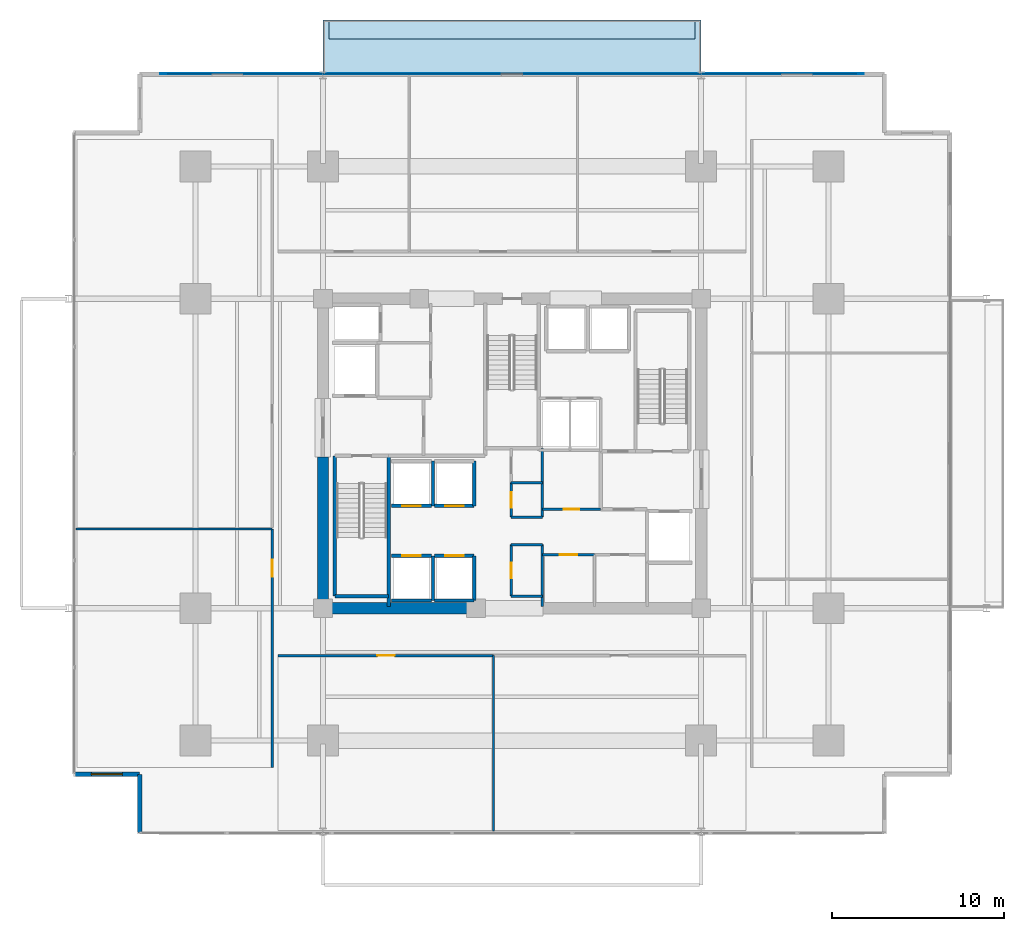
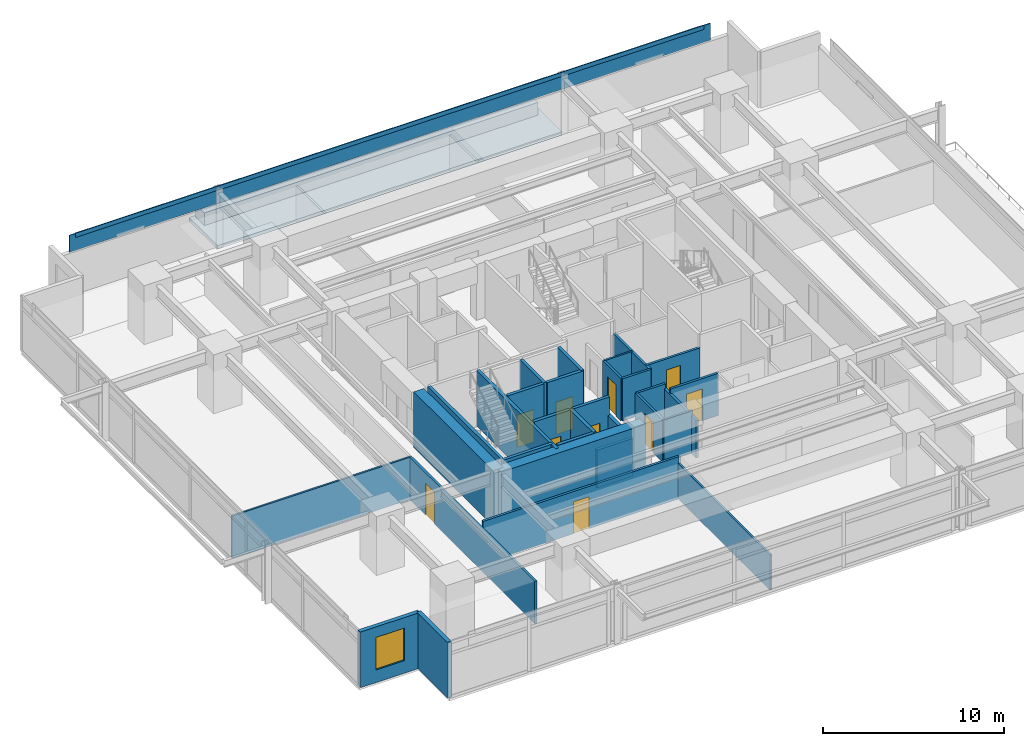
# One storey, part 14 of 21: 31 walls, 10 doors, 2 plates, 2 slabs, 1 window, 11 openings.
"""IFC4 building model written with IfcOpenShell, lengths in metres."""

from ifc_helpers import new_model, si_unit, direction, frame, frame_2d, origin, origin_2d, place, context, subcontext, project, spatial, polyline, rectangle, outline, extrude, material, layer, layer_set, type_object, element, fill, save


model = new_model("IFC4")

# Units and contexts
model_context = context("Model", 3, precision=1e-05, world=origin(), true_north=direction((0.0, 1.0)))
body_context = subcontext(model_context, "Body", "Model", "MODEL_VIEW")
ifc_project = project(units=[si_unit("LENGTHUNIT", "METRE"), si_unit("AREAUNIT", "SQUARE_METRE"), si_unit("VOLUMEUNIT", "CUBIC_METRE"), si_unit("PLANEANGLEUNIT", "RADIAN"), si_unit("MASSUNIT", "GRAM", prefix="KILO")], contexts=[model_context])

# Site, building, storey
site_placement = place(None, origin())
site = spatial("IfcSite", under=ifc_project, at=site_placement, CompositionType="ELEMENT")
building_placement = place(site_placement, origin())
building = spatial("IfcBuilding", under=site, at=building_placement, Name="Kovane Verandah Tower", CompositionType="ELEMENT")
storey_placement = place(building_placement, frame((0.0, 0.0, 47.60009765625)))
storey = spatial("IfcBuildingStorey", under=building, at=storey_placement, Name="L10", CompositionType="ELEMENT", Elevation=47.60009765625)

# Plates
ifc_material_1 = material(Name="Perforated Pale Champagne Anodised Aluminium Solar Screen", Category="aluminium")
ifc_layer_1 = layer(ifc_material_1, 0.050048828125)
ifc_layer_set_1 = layer_set([ifc_layer_1], Name="Perforated Pale Champagne Anodised Aluminium Solar Screen")
plate_type_1 = type_object("IfcPlateType", Name="PL-SCREEN-50", PredefinedType="USERDEFINED", material=ifc_layer_set_1)
plate_1_placement = place(storey_placement, frame((40.0, 49.576416015625, 2.85986328125), z_axis=(0.0, 0.0, 1.0), x_axis=(-1.0, 0.0, 0.0)))
element("IfcPlate", 1, at=plate_1_placement, inside=storey, type_object=plate_type_1, Name="L10 N Perforated Champagne-Gold Solar Screen", ObjectType="SCREEN", PredefinedType="USERDEFINED", context=body_context, shape_type="SweptSolid", body=[
    extrude(rectangle(XDim=40.91796875, YDim=0.050048828125, at=origin_2d()), origin(), (0.0, 0.0, 1.0), 1.14990234375),
])
ifc_material_2 = material(Name="Extruded Pale-Bronze Aluminium Aerofoil Sunshade", Category="aluminium")
ifc_layer_2 = layer(ifc_material_2, 0.06005859375)
ifc_layer_set_2 = layer_set([ifc_layer_2], Name="Extruded Pale-Bronze Aluminium Aerofoil Sunshade")
plate_type_2 = type_object("IfcPlateType", Name="PL-SUNSHADE-60", PredefinedType="USERDEFINED", material=ifc_layer_set_2)
plate_2_placement = place(storey_placement, frame((40.0, 49.581298828125, 3.73974609375), z_axis=(0.0, 0.0, 1.0), x_axis=(-1.0, 0.0, 0.0)))
element("IfcPlate", 2, at=plate_2_placement, inside=storey, type_object=plate_type_2, Name="L10 N Subtropical Aerofoil Sunshade", ObjectType="SUNSHADE", PredefinedType="USERDEFINED", context=body_context, shape_type="SweptSolid", body=[
    extrude(rectangle(XDim=40.117919921875, YDim=0.06005859375, at=origin_2d()), origin(), (0.0, 0.0, 1.0), 0.280029296875),
])

# Slabs
ifc_material_3 = material(Name="Concrete C45/55", Category="concrete")
ifc_layer_3 = layer(ifc_material_3, 0.239990234375)
ifc_layer_set_3 = layer_set([ifc_layer_3], Name="Concrete C45/55")
slab_type_1 = type_object("IfcSlabType", Name="SL-BALC-240", PredefinedType="FLOOR", material=ifc_layer_set_3)
slab_1_placement = place(storey_placement, frame((0.0, 0.0, -0.239990234375)))
element("IfcSlab", 3, at=slab_1_placement, inside=storey, type_object=slab_type_1, Name="L10 N Planted Verandah Balcony Slab", PredefinedType="FLOOR", context=body_context, shape_type="SweptSolid", body=[
    extrude(outline(polyline([(29.0, 49.561279296875), (51.0, 49.561279296875), (51.0, 52.711181640625), (29.0, 52.711181640625), (29.0, 49.561279296875)])), origin(), (0.0, 0.0, 1.0), 0.239990234375),
])
ifc_material_4 = material(Name="Architectural Precast Concrete C45/55 Planter Trough", Category="concrete")
ifc_layer_4 = layer(ifc_material_4, 0.219970703125)
ifc_layer_set_4 = layer_set([ifc_layer_4], Name="Architectural Precast Concrete C45/55 Planter Trough")
slab_type_2 = type_object("IfcSlabType", Name="SL-PLANTER-220", PredefinedType="USERDEFINED", material=ifc_layer_set_4)
slab_2_placement = place(storey_placement, origin())
element("IfcSlab", 4, at=slab_2_placement, inside=storey, type_object=slab_type_2, Name="L10 N Structural Tree Planter", ObjectType="PLANTER", PredefinedType="USERDEFINED", context=body_context, shape_type="SweptSolid", body=[
    extrude(outline(polyline([(29.35009765625, 51.611328125), (50.64990234375, 51.611328125), (50.64990234375, 52.611328125), (29.35009765625, 52.611328125), (29.35009765625, 51.611328125)])), origin(), (0.0, 0.0, 1.0), 0.849853515625),
])

# Walls
ifc_material_5 = material(Name="Fire-Rated Gypsum Stud Partition", Category="gypsum")
ifc_layer_5 = layer(ifc_material_5, 0.14990234375)
ifc_layer_set_5 = layer_set([ifc_layer_5], Name="Fire-Rated Gypsum Stud Partition")
wall_type_1 = type_object("IfcWallType", Name="WL-COR-150", PredefinedType="PARTITIONING", material=ifc_layer_set_5)
for number, where, z_axis, x_axis, name in (
    (5, (39.949951171875, 19.199951171875, 0.0), (0.0, 0.0, 1.0), (1.0, 0.0, 0.0), "L10 Central Core Strip South Wall"),
    (6, (39.949951171875, 22.199951171875, 0.0), (0.0, 0.0, 1.0), (1.0, 0.0, 0.0), "L10 Core Cross-Passage South Wall"),
    (7, (39.949951171875, 23.800048828125, 0.0), (0.0, 0.0, 1.0), (1.0, 0.0, 0.0), "L10 Core Cross-Passage North Wall"),
):
    element("IfcWall", number, at=place(storey_placement, frame(where, z_axis=z_axis, x_axis=x_axis)), inside=storey, type_object=wall_type_1, Name=name, PredefinedType="PARTITIONING", context=body_context, shape_type="SweptSolid", body=[
        extrude(rectangle(XDim=1.81005859375, YDim=0.14990234375, at=frame_2d((0.905029296875, 0.0))), origin(), (0.0, 0.0, 1.0), 2.849853515625),
    ])
wall_1_placement = place(storey_placement, frame((41.760009765625, 18.60009765625, 0.0), z_axis=(0.0, 0.0, 1.0), x_axis=(0.0, 1.0, 0.0)))
element("IfcWall", 8, at=wall_1_placement, inside=storey, type_object=wall_type_1, Name="L10 Central Core Strip Lower East Wall", PredefinedType="PARTITIONING", context=body_context, shape_type="SweptSolid", body=[
    extrude(rectangle(XDim=3.599853515625, YDim=0.14990234375, at=frame_2d((1.7998046875, 0.0))), origin(), (0.0, 0.0, 1.0), 2.539794921875),
])
wall_2_placement = place(storey_placement, frame((41.760009765625, 23.800048828125, 0.0), z_axis=(0.0, 0.0, 1.0), x_axis=(0.0, 1.0, 0.0)))
element("IfcWall", 9, at=wall_2_placement, inside=storey, type_object=wall_type_1, Name="L10 Central Core Strip Upper East Wall", PredefinedType="PARTITIONING", context=body_context, shape_type="SweptSolid", body=[
    extrude(rectangle(XDim=4.0, YDim=0.14990234375, at=frame_2d((2.0, 0.0))), origin(), (0.0, 0.0, 1.0), 2.849853515625),
])

# Wall, opening, door
wall_3_placement = place(storey_placement, frame((39.949951171875, 19.199951171875, 0.0), z_axis=(0.0, 0.0, 1.0), x_axis=(0.0, 1.0, 0.0)))
wall_3 = element("IfcWall", 10, at=wall_3_placement, inside=storey, type_object=wall_type_1, Name="L10 Male Toilet Partition", PredefinedType="PARTITIONING", context=body_context, shape_type="SweptSolid", body=[
    extrude(rectangle(XDim=3.0, YDim=0.14990234375, at=frame_2d((1.5, 0.0))), origin(), (0.0, 0.0, 1.0), 2.849853515625),
])
opening_1_placement = place(wall_3_placement, frame((1.050048828125, 0.0, 0.0)))
opening_1 = element("IfcOpeningElement", 11, at=opening_1_placement, cuts=wall_3, Name="Opening DR-L10-028", PredefinedType="OPENING", context=body_context, shape_type="SweptSolid", body=[
    extrude(rectangle(XDim=0.89990234375, YDim=2.10009765625, at=frame_2d((0.449951171875, 1.050048828125))), frame((0.0, 0.074951171875, 0.0), z_axis=(0.0, -1.0, 0.0), x_axis=(1.0, 0.0, 0.0)), (0.0, 0.0, 1.0), 0.14990234375),
])
ifc_material_6 = material(Name="Moisture-Resistant Laminate Washroom Door", Category="wood")
door_type_1 = type_object("IfcDoorType", Name="DR-WC-900", OperationType="SINGLE_SWING_LEFT", PredefinedType="DOOR", material=ifc_material_6)
door_1_placement = place(opening_1_placement, origin())
door_1 = element("IfcDoor", 12, at=door_1_placement, inside=storey, type_object=door_type_1, Name="L10 Male Toilet Door", OperationType="SINGLE_SWING_RIGHT", OverallHeight=2.10009765625, OverallWidth=0.89990234375, PredefinedType="DOOR", context=body_context, shape_type="SweptSolid", body=[
    extrude(rectangle(XDim=0.89990234375, YDim=2.10009765625, at=frame_2d((0.449951171875, 1.050048828125))), frame((0.0, 0.02490234375, 0.0), z_axis=(0.0, -1.0, 0.0), x_axis=(1.0, 0.0, 0.0)), (0.0, 0.0, 1.0), 0.050048828125),
])
fill(opening_1, door_1)

wall_4_placement = place(storey_placement, frame((39.949951171875, 23.800048828125, 0.0), z_axis=(0.0, 0.0, 1.0), x_axis=(0.0, 1.0, 0.0)))
wall_4 = element("IfcWall", 13, at=wall_4_placement, inside=storey, type_object=wall_type_1, Name="L10 Female Toilet Partition", PredefinedType="PARTITIONING", context=body_context, shape_type="SweptSolid", body=[
    extrude(rectangle(XDim=2.0, YDim=0.14990234375, at=frame_2d((1.0, 0.0))), origin(), (0.0, 0.0, 1.0), 2.849853515625),
])
opening_2_placement = place(wall_4_placement, frame((0.550048828125, 0.0, 0.0)))
opening_2 = element("IfcOpeningElement", 14, at=opening_2_placement, cuts=wall_4, Name="Opening DR-L10-027", PredefinedType="OPENING", context=body_context, shape_type="SweptSolid", body=[
    extrude(rectangle(XDim=0.89990234375, YDim=2.10009765625, at=frame_2d((0.449951171875, 1.050048828125))), frame((0.0, 0.074951171875, 0.0), z_axis=(0.0, -1.0, 0.0), x_axis=(1.0, 0.0, 0.0)), (0.0, 0.0, 1.0), 0.14990234375),
])
door_2_placement = place(opening_2_placement, origin())
door_2 = element("IfcDoor", 15, at=door_2_placement, inside=storey, type_object=door_type_1, Name="L10 Female Toilet Door", OperationType="SINGLE_SWING_LEFT", OverallHeight=2.10009765625, OverallWidth=0.89990234375, PredefinedType="DOOR", context=body_context, shape_type="SweptSolid", body=[
    extrude(rectangle(XDim=0.89990234375, YDim=2.10009765625, at=frame_2d((0.449951171875, 1.050048828125))), frame((0.0, 0.02490234375, 0.0), z_axis=(0.0, -1.0, 0.0), x_axis=(1.0, 0.0, 0.0)), (0.0, 0.0, 1.0), 0.050048828125),
])
fill(opening_2, door_2)

wall_5_placement = place(storey_placement, frame((41.760009765625, 21.6201171875, 0.0), z_axis=(0.0, 0.0, 1.0), x_axis=(1.0, 0.0, 0.0)))
wall_5 = element("IfcWall", 16, at=wall_5_placement, inside=storey, type_object=wall_type_1, Name="L10 AV Control Room Partition", PredefinedType="PARTITIONING", context=body_context, shape_type="SweptSolid", body=[
    extrude(rectangle(XDim=3.0400390625, YDim=0.14990234375, at=frame_2d((1.52001953125, 0.0))), origin(), (0.0, 0.0, 1.0), 2.849853515625),
])
opening_3_placement = place(wall_5_placement, frame((1.02001953125, 0.0, 0.0)))
opening_3 = element("IfcOpeningElement", 17, at=opening_3_placement, cuts=wall_5, Name="Opening DR-L10-015", PredefinedType="OPENING", context=body_context, shape_type="SweptSolid", body=[
    extrude(rectangle(XDim=1.0, YDim=2.14990234375, at=frame_2d((0.5, 1.074951171875))), frame((0.0, 0.074951171875, 0.0), z_axis=(0.0, -1.0, 0.0), x_axis=(1.0, 0.0, 0.0)), (0.0, 0.0, 1.0), 0.14990234375),
])
ifc_material_7 = material(Name="FSC Spotted-Gum Timber Fire-Rated Office Door", Category="wood")
door_type_2 = type_object("IfcDoorType", Name="DR-OFF-1000", OperationType="SINGLE_SWING_LEFT", PredefinedType="DOOR", material=ifc_material_7)
door_3_placement = place(opening_3_placement, origin())
door_3 = element("IfcDoor", 18, at=door_3_placement, inside=storey, type_object=door_type_2, Name="L10 AV Control Room Door", OperationType="SINGLE_SWING_LEFT", OverallHeight=2.14990234375, OverallWidth=1.0, PredefinedType="DOOR", context=body_context, shape_type="SweptSolid", body=[
    extrude(rectangle(XDim=1.0, YDim=2.14990234375, at=frame_2d((0.5, 1.074951171875))), frame((0.0, 0.02490234375, 0.0), z_axis=(0.0, -1.0, 0.0), x_axis=(1.0, 0.0, 0.0)), (0.0, 0.0, 1.0), 0.050048828125),
])
fill(opening_3, door_3)

wall_6_placement = place(storey_placement, frame((41.760009765625, 24.25, 0.0), z_axis=(0.0, 0.0, 1.0), x_axis=(1.0, 0.0, 0.0)))
wall_6 = element("IfcWall", 19, at=wall_6_placement, inside=storey, type_object=wall_type_1, Name="L10 Cleaner Store Partition", PredefinedType="PARTITIONING", context=body_context, shape_type="SweptSolid", body=[
    extrude(rectangle(XDim=3.389892578125, YDim=0.14990234375, at=frame_2d((1.69482421875, 0.0))), origin(), (0.0, 0.0, 1.0), 2.849853515625),
])
opening_4_placement = place(wall_6_placement, frame((1.2548828125, 0.0, 0.0)))
opening_4 = element("IfcOpeningElement", 20, at=opening_4_placement, cuts=wall_6, Name="Opening DR-L10-017", PredefinedType="OPENING", context=body_context, shape_type="SweptSolid", body=[
    extrude(rectangle(XDim=0.8798828125, YDim=2.10009765625, at=frame_2d((0.43994140625, 1.050048828125))), frame((0.0, 0.074951171875, 0.0), z_axis=(0.0, -1.0, 0.0), x_axis=(1.0, 0.0, 0.0)), (0.0, 0.0, 1.0), 0.14990234375),
])
ifc_material_8 = material(Name="Fire-Rated Steel Riser Access Door", Category="steel")
door_type_3 = type_object("IfcDoorType", Name="DR-RISER-880", OperationType="SINGLE_SWING_LEFT", PredefinedType="DOOR", material=ifc_material_8)
door_4_placement = place(opening_4_placement, origin())
door_4 = element("IfcDoor", 21, at=door_4_placement, inside=storey, type_object=door_type_3, Name="L10 Cleaner Store Door", OperationType="SINGLE_SWING_LEFT", OverallHeight=2.10009765625, OverallWidth=0.8798828125, PredefinedType="DOOR", context=body_context, shape_type="SweptSolid", body=[
    extrude(rectangle(XDim=0.8798828125, YDim=2.10009765625, at=frame_2d((0.43994140625, 1.050048828125))), frame((0.0, 0.02490234375, 0.0), z_axis=(0.0, -1.0, 0.0), x_axis=(1.0, 0.0, 0.0)), (0.0, 0.0, 1.0), 0.050048828125),
])
fill(opening_4, door_4)

wall_7_placement = place(storey_placement, frame((26.39990234375, 15.75, 0.0), z_axis=(0.0, 0.0, 1.0), x_axis=(1.0, 0.0, 0.0)))
wall_7 = element("IfcWall", 22, at=wall_7_placement, inside=storey, type_object=wall_type_1, Name="L10 Focus Studio S1 Corridor Partition", PredefinedType="PARTITIONING", context=body_context, shape_type="SweptSolid", body=[
    extrude(rectangle(XDim=12.51220703125, YDim=0.14990234375, at=frame_2d((6.256103515625, 0.0))), origin(), (0.0, 0.0, 1.0), 2.849853515625),
])
opening_5_placement = place(wall_7_placement, frame((5.77099609375, 0.0, 0.0)))
opening_5 = element("IfcOpeningElement", 23, at=opening_5_placement, cuts=wall_7, Name="Opening DR-L10-023", PredefinedType="OPENING", context=body_context, shape_type="SweptSolid", body=[
    extrude(rectangle(XDim=1.0, YDim=2.14990234375, at=frame_2d((0.5, 1.074951171875))), frame((0.0, 0.074951171875, 0.0), z_axis=(0.0, -1.0, 0.0), x_axis=(1.0, 0.0, 0.0)), (0.0, 0.0, 1.0), 0.14990234375),
])
door_5_placement = place(opening_5_placement, origin())
door_5 = element("IfcDoor", 24, at=door_5_placement, inside=storey, type_object=door_type_2, Name="L10 Focus Studio S1 Entrance Door", OperationType="SINGLE_SWING_LEFT", OverallHeight=2.14990234375, OverallWidth=1.0, PredefinedType="DOOR", context=body_context, shape_type="SweptSolid", body=[
    extrude(rectangle(XDim=1.0, YDim=2.14990234375, at=frame_2d((0.5, 1.074951171875))), frame((0.0, 0.02490234375, 0.0), z_axis=(0.0, -1.0, 0.0), x_axis=(1.0, 0.0, 0.0)), (0.0, 0.0, 1.0), 0.050048828125),
])
fill(opening_5, door_5)

wall_8_placement = place(storey_placement, frame((26.050048828125, 9.23876953125, 0.0), z_axis=(0.0, 0.0, 1.0), x_axis=(0.0, 1.0, 0.0)))
wall_8 = element("IfcWall", 25, at=wall_8_placement, inside=storey, type_object=wall_type_1, Name="L10 Collaboration Hub W1 Corridor Partition", PredefinedType="PARTITIONING", context=body_context, shape_type="SweptSolid", body=[
    extrude(rectangle(XDim=13.87841796875, YDim=0.14990234375, at=frame_2d((6.939208984375, 0.0))), origin(), (0.0, 0.0, 1.0), 2.849853515625),
])
opening_6_placement = place(wall_8_placement, frame((11.0849609375, 0.0, 0.0)))
opening_6 = element("IfcOpeningElement", 26, at=opening_6_placement, cuts=wall_8, Name="Opening DR-L10-029", PredefinedType="OPENING", context=body_context, shape_type="SweptSolid", body=[
    extrude(rectangle(XDim=1.0, YDim=2.14990234375, at=frame_2d((0.5, 1.074951171875))), frame((0.0, 0.074951171875, 0.0), z_axis=(0.0, -1.0, 0.0), x_axis=(1.0, 0.0, 0.0)), (0.0, 0.0, 1.0), 0.14990234375),
])
door_6_placement = place(opening_6_placement, origin())
door_6 = element("IfcDoor", 27, at=door_6_placement, inside=storey, type_object=door_type_2, Name="L10 Collaboration Hub W1 Entrance Door", OperationType="SINGLE_SWING_LEFT", OverallHeight=2.14990234375, OverallWidth=1.0, PredefinedType="DOOR", context=body_context, shape_type="SweptSolid", body=[
    extrude(rectangle(XDim=1.0, YDim=2.14990234375, at=frame_2d((0.5, 1.074951171875))), frame((0.0, 0.02490234375, 0.0), z_axis=(0.0, -1.0, 0.0), x_axis=(1.0, 0.0, 0.0)), (0.0, 0.0, 1.0), 0.050048828125),
])
fill(opening_6, door_6)

# Walls
ifc_material_9 = material(Name="Concrete C80/95", Category="concrete")
ifc_layer_6 = layer(ifc_material_9, 0.64990234375)
ifc_layer_set_6 = layer_set([ifc_layer_6], Name="Concrete C80/95")
wall_type_2 = type_object("IfcWallType", Name="WL-CORE-650", PredefinedType="SHEAR", material=ifc_layer_set_6)
wall_9_placement = place(storey_placement, frame((29.0, 18.5, 0.0), z_axis=(0.0, 0.0, 1.0), x_axis=(1.0, 0.0, 0.0)))
element("IfcWall", 28, at=wall_9_placement, inside=storey, type_object=wall_type_2, Name="L10 Core Shear Wall CS-1", PredefinedType="SHEAR", context=body_context, shape_type="SweptSolid", body=[
    extrude(rectangle(XDim=9.199951171875, YDim=0.64990234375, at=frame_2d((4.60009765625, 0.0))), origin(), (0.0, 0.0, 1.0), 3.760009765625),
])
wall_10_placement = place(storey_placement, frame((29.0, 18.5, 0.0), z_axis=(0.0, 0.0, 1.0), x_axis=(0.0, 1.0, 0.0)))
element("IfcWall", 29, at=wall_10_placement, inside=storey, type_object=wall_type_2, Name="L10 Core Shear Wall CW-1", PredefinedType="SHEAR", context=body_context, shape_type="SweptSolid", body=[
    extrude(rectangle(XDim=8.800048828125, YDim=0.64990234375, at=frame_2d((4.39990234375, 0.0))), origin(), (0.0, 0.0, 1.0), 3.760009765625),
])
ifc_material_10 = material(Name="Concrete C45/55 Lift Shaft Wall", Category="concrete")
ifc_layer_7 = layer(ifc_material_10, 0.199951171875)
ifc_layer_set_7 = layer_set([ifc_layer_7], Name="Concrete C45/55 Lift Shaft Wall")
wall_type_3 = type_object("IfcWallType", Name="WL-LIFT-200", PredefinedType="SOLIDWALL", material=ifc_layer_set_7)
wall_11_placement = place(storey_placement, frame((33.0, 18.949951171875, 0.0), z_axis=(0.0, 0.0, 1.0), x_axis=(1.0, 0.0, 0.0)))
element("IfcWall", 30, at=wall_11_placement, inside=storey, type_object=wall_type_3, Name="L10 Lift PL-L1 S Shaft Wall", PredefinedType="SOLIDWALL", context=body_context, shape_type="SweptSolid", body=[
    extrude(rectangle(XDim=2.300048828125, YDim=0.199951171875, at=frame_2d((1.14990234375, 0.0))), origin(), (0.0, 0.0, 1.0), 3.760009765625),
])

# Wall, opening, door
wall_12_placement = place(storey_placement, frame((35.300048828125, 21.550048828125, 0.0), z_axis=(0.0, 0.0, 1.0), x_axis=(-1.0, 0.0, 0.0)))
wall_12 = element("IfcWall", 31, at=wall_12_placement, inside=storey, type_object=wall_type_3, Name="L10 Lift PL-L1 N Shaft Wall", PredefinedType="SOLIDWALL", context=body_context, shape_type="SweptSolid", body=[
    extrude(rectangle(XDim=2.300048828125, YDim=0.199951171875, at=frame_2d((1.14990234375, 0.0))), origin(), (0.0, 0.0, 1.0), 3.760009765625),
])
opening_7_placement = place(wall_12_placement, frame((0.60009765625, 0.0, 0.0)))
opening_7 = element("IfcOpeningElement", 32, at=opening_7_placement, cuts=wall_12, Name="Opening LD-L10-004", PredefinedType="OPENING", context=body_context, shape_type="SweptSolid", body=[
    extrude(rectangle(XDim=1.10009765625, YDim=2.199951171875, at=frame_2d((0.550048828125, 1.10009765625))), frame((0.0, 0.10009765625, 0.0), z_axis=(0.0, -1.0, 0.0), x_axis=(1.0, 0.0, 0.0)), (0.0, 0.0, 1.0), 0.199951171875),
])
ifc_material_11 = material(Name="Brushed Stainless Steel Sliding Lift Landing Door", Category="steel")
door_type_4 = type_object("IfcDoorType", Name="DR-LIFT-1100", OperationType="SLIDING_TO_RIGHT", PredefinedType="DOOR", material=ifc_material_11)
door_7_placement = place(opening_7_placement, origin())
door_7 = element("IfcDoor", 33, at=door_7_placement, inside=storey, type_object=door_type_4, Name="L10 Lift PL-L1 Sliding Landing Door", OperationType="SLIDING_TO_RIGHT", OverallHeight=2.199951171875, OverallWidth=1.10009765625, PredefinedType="DOOR", context=body_context, shape_type="SweptSolid", body=[
    extrude(rectangle(XDim=1.10009765625, YDim=2.199951171875, at=frame_2d((0.550048828125, 1.10009765625))), frame((0.0, 0.02490234375, 0.0), z_axis=(0.0, -1.0, 0.0), x_axis=(1.0, 0.0, 0.0)), (0.0, 0.0, 1.0), 0.050048828125),
])
fill(opening_7, door_7)

# Walls
wall_13_placement = place(storey_placement, frame((35.39990234375, 18.949951171875, 0.0), z_axis=(0.0, 0.0, 1.0), x_axis=(0.0, 1.0, 0.0)))
element("IfcWall", 34, at=wall_13_placement, inside=storey, type_object=wall_type_3, Name="L10 Lift PL-L1 and PL-L2 Shared Shaft Wall", PredefinedType="SOLIDWALL", context=body_context, shape_type="SweptSolid", body=[
    extrude(rectangle(XDim=2.60009765625, YDim=0.199951171875, at=frame_2d((1.300048828125, 0.0))), origin(), (0.0, 0.0, 1.0), 3.760009765625),
])
wall_14_placement = place(storey_placement, frame((35.5, 18.949951171875, 0.0), z_axis=(0.0, 0.0, 1.0), x_axis=(1.0, 0.0, 0.0)))
element("IfcWall", 35, at=wall_14_placement, inside=storey, type_object=wall_type_3, Name="L10 Lift PL-L2 S Shaft Wall", PredefinedType="SOLIDWALL", context=body_context, shape_type="SweptSolid", body=[
    extrude(rectangle(XDim=2.300048828125, YDim=0.199951171875, at=frame_2d((1.14990234375, 0.0))), origin(), (0.0, 0.0, 1.0), 2.539794921875),
])

# Wall, opening, door
wall_15_placement = place(storey_placement, frame((37.800048828125, 21.550048828125, 0.0), z_axis=(0.0, 0.0, 1.0), x_axis=(-1.0, 0.0, 0.0)))
wall_15 = element("IfcWall", 36, at=wall_15_placement, inside=storey, type_object=wall_type_3, Name="L10 Lift PL-L2 N Shaft Wall", PredefinedType="SOLIDWALL", context=body_context, shape_type="SweptSolid", body=[
    extrude(rectangle(XDim=2.300048828125, YDim=0.199951171875, at=frame_2d((1.14990234375, 0.0))), origin(), (0.0, 0.0, 1.0), 3.760009765625),
])
opening_8_placement = place(wall_15_placement, frame((0.60009765625, 0.0, 0.0)))
opening_8 = element("IfcOpeningElement", 37, at=opening_8_placement, cuts=wall_15, Name="Opening LD-L10-005", PredefinedType="OPENING", context=body_context, shape_type="SweptSolid", body=[
    extrude(rectangle(XDim=1.10009765625, YDim=2.199951171875, at=frame_2d((0.550048828125, 1.10009765625))), frame((0.0, 0.10009765625, 0.0), z_axis=(0.0, -1.0, 0.0), x_axis=(1.0, 0.0, 0.0)), (0.0, 0.0, 1.0), 0.199951171875),
])
door_8_placement = place(opening_8_placement, origin())
door_8 = element("IfcDoor", 38, at=door_8_placement, inside=storey, type_object=door_type_4, Name="L10 Lift PL-L2 Sliding Landing Door", OperationType="SLIDING_TO_RIGHT", OverallHeight=2.199951171875, OverallWidth=1.10009765625, PredefinedType="DOOR", context=body_context, shape_type="SweptSolid", body=[
    extrude(rectangle(XDim=1.10009765625, YDim=2.199951171875, at=frame_2d((0.550048828125, 1.10009765625))), frame((0.0, 0.02490234375, 0.0), z_axis=(0.0, -1.0, 0.0), x_axis=(1.0, 0.0, 0.0)), (0.0, 0.0, 1.0), 0.050048828125),
])
fill(opening_8, door_8)

# Wall
wall_16_placement = place(storey_placement, frame((37.800048828125, 18.949951171875, 0.0), z_axis=(0.0, 0.0, 1.0), x_axis=(0.0, 1.0, 0.0)))
element("IfcWall", 39, at=wall_16_placement, inside=storey, type_object=wall_type_3, Name="L10 Lift PL-L2 E Shaft Wall", PredefinedType="SOLIDWALL", context=body_context, shape_type="SweptSolid", body=[
    extrude(rectangle(XDim=2.60009765625, YDim=0.199951171875, at=frame_2d((1.300048828125, 0.0))), origin(), (0.0, 0.0, 1.0), 2.539794921875),
])

# Wall, opening, door
wall_17_placement = place(storey_placement, frame((33.0, 24.449951171875, 0.0), z_axis=(0.0, 0.0, 1.0), x_axis=(1.0, 0.0, 0.0)))
wall_17 = element("IfcWall", 40, at=wall_17_placement, inside=storey, type_object=wall_type_3, Name="L10 Lift PL-L3 S Shaft Wall", PredefinedType="SOLIDWALL", context=body_context, shape_type="SweptSolid", body=[
    extrude(rectangle(XDim=2.300048828125, YDim=0.199951171875, at=frame_2d((1.14990234375, 0.0))), origin(), (0.0, 0.0, 1.0), 3.760009765625),
])
opening_9_placement = place(wall_17_placement, frame((0.60009765625, 0.0, 0.0)))
opening_9 = element("IfcOpeningElement", 41, at=opening_9_placement, cuts=wall_17, Name="Opening LD-L10-006", PredefinedType="OPENING", context=body_context, shape_type="SweptSolid", body=[
    extrude(rectangle(XDim=1.10009765625, YDim=2.199951171875, at=frame_2d((0.550048828125, 1.10009765625))), frame((0.0, 0.10009765625, 0.0), z_axis=(0.0, -1.0, 0.0), x_axis=(1.0, 0.0, 0.0)), (0.0, 0.0, 1.0), 0.199951171875),
])
door_9_placement = place(opening_9_placement, origin())
door_9 = element("IfcDoor", 42, at=door_9_placement, inside=storey, type_object=door_type_4, Name="L10 Lift PL-L3 Sliding Landing Door", OperationType="SLIDING_TO_RIGHT", OverallHeight=2.199951171875, OverallWidth=1.10009765625, PredefinedType="DOOR", context=body_context, shape_type="SweptSolid", body=[
    extrude(rectangle(XDim=1.10009765625, YDim=2.199951171875, at=frame_2d((0.550048828125, 1.10009765625))), frame((0.0, 0.02490234375, 0.0), z_axis=(0.0, -1.0, 0.0), x_axis=(1.0, 0.0, 0.0)), (0.0, 0.0, 1.0), 0.050048828125),
])
fill(opening_9, door_9)

# Wall
wall_18_placement = place(storey_placement, frame((35.39990234375, 24.449951171875, 0.0), z_axis=(0.0, 0.0, 1.0), x_axis=(0.0, 1.0, 0.0)))
element("IfcWall", 43, at=wall_18_placement, inside=storey, type_object=wall_type_3, Name="L10 Lift PL-L3 and PL-L4 Shared Shaft Wall", PredefinedType="SOLIDWALL", context=body_context, shape_type="SweptSolid", body=[
    extrude(rectangle(XDim=2.60009765625, YDim=0.199951171875, at=frame_2d((1.300048828125, 0.0))), origin(), (0.0, 0.0, 1.0), 3.760009765625),
])

# Wall, opening, door
wall_19_placement = place(storey_placement, frame((35.5, 24.449951171875, 0.0), z_axis=(0.0, 0.0, 1.0), x_axis=(1.0, 0.0, 0.0)))
wall_19 = element("IfcWall", 44, at=wall_19_placement, inside=storey, type_object=wall_type_3, Name="L10 Lift PL-L4 S Shaft Wall", PredefinedType="SOLIDWALL", context=body_context, shape_type="SweptSolid", body=[
    extrude(rectangle(XDim=2.300048828125, YDim=0.199951171875, at=frame_2d((1.14990234375, 0.0))), origin(), (0.0, 0.0, 1.0), 3.760009765625),
])
opening_10_placement = place(wall_19_placement, frame((0.60009765625, 0.0, 0.0)))
opening_10 = element("IfcOpeningElement", 45, at=opening_10_placement, cuts=wall_19, Name="Opening LD-L10-007", PredefinedType="OPENING", context=body_context, shape_type="SweptSolid", body=[
    extrude(rectangle(XDim=1.10009765625, YDim=2.199951171875, at=frame_2d((0.550048828125, 1.10009765625))), frame((0.0, 0.10009765625, 0.0), z_axis=(0.0, -1.0, 0.0), x_axis=(1.0, 0.0, 0.0)), (0.0, 0.0, 1.0), 0.199951171875),
])
door_10_placement = place(opening_10_placement, origin())
door_10 = element("IfcDoor", 46, at=door_10_placement, inside=storey, type_object=door_type_4, Name="L10 Lift PL-L4 Sliding Landing Door", OperationType="SLIDING_TO_RIGHT", OverallHeight=2.199951171875, OverallWidth=1.10009765625, PredefinedType="DOOR", context=body_context, shape_type="SweptSolid", body=[
    extrude(rectangle(XDim=1.10009765625, YDim=2.199951171875, at=frame_2d((0.550048828125, 1.10009765625))), frame((0.0, 0.02490234375, 0.0), z_axis=(0.0, -1.0, 0.0), x_axis=(1.0, 0.0, 0.0)), (0.0, 0.0, 1.0), 0.050048828125),
])
fill(opening_10, door_10)

# Walls
wall_20_placement = place(storey_placement, frame((37.800048828125, 24.449951171875, 0.0), z_axis=(0.0, 0.0, 1.0), x_axis=(0.0, 1.0, 0.0)))
element("IfcWall", 47, at=wall_20_placement, inside=storey, type_object=wall_type_3, Name="L10 Lift PL-L4 E Shaft Wall", PredefinedType="SOLIDWALL", context=body_context, shape_type="SweptSolid", body=[
    extrude(rectangle(XDim=2.60009765625, YDim=0.199951171875, at=frame_2d((1.300048828125, 0.0))), origin(), (0.0, 0.0, 1.0), 3.760009765625),
])
ifc_material_12 = material(Name="Acoustic Fire-Rated Gypsum Partition", Category="gypsum")
ifc_layer_8 = layer(ifc_material_12, 0.1201171875)
ifc_layer_set_8 = layer_set([ifc_layer_8], Name="Acoustic Fire-Rated Gypsum Partition")
wall_type_4 = type_object("IfcWallType", Name="WL-PART-120", PredefinedType="PARTITIONING", material=ifc_layer_set_8)
wall_21_placement = place(storey_placement, frame((39.949951171875, 25.800048828125, 0.0), z_axis=(0.0, 0.0, 1.0), x_axis=(1.0, 0.0, 0.0)))
element("IfcWall", 48, at=wall_21_placement, inside=storey, type_object=wall_type_4, Name="L10 Central Core Strip Upper Dividing Partition", PredefinedType="PARTITIONING", context=body_context, shape_type="SweptSolid", body=[
    extrude(rectangle(XDim=1.81005859375, YDim=0.1201171875, at=frame_2d((0.905029296875, 0.0))), origin(), (0.0, 0.0, 1.0), 2.849853515625),
])
wall_22_placement = place(storey_placement, frame((38.912109375, 5.538818359375, 0.0), z_axis=(0.0, 0.0, 1.0), x_axis=(0.0, 1.0, 0.0)))
element("IfcWall", 49, at=wall_22_placement, inside=storey, type_object=wall_type_4, Name="L10 Focus Studio S1 Dividing Partition", PredefinedType="PARTITIONING", context=body_context, shape_type="SweptSolid", body=[
    extrude(rectangle(XDim=10.211181640625, YDim=0.1201171875, at=frame_2d((5.10546875, 0.0))), origin(), (0.0, 0.0, 1.0), 2.389892578125),
])
wall_23_placement = place(storey_placement, frame((14.64111328125, 23.1171875, 0.0), z_axis=(0.0, 0.0, 1.0), x_axis=(1.0, 0.0, 0.0)))
element("IfcWall", 50, at=wall_23_placement, inside=storey, type_object=wall_type_4, Name="L10 Collaboration Hub W1 Dividing Partition", PredefinedType="PARTITIONING", context=body_context, shape_type="SweptSolid", body=[
    extrude(rectangle(XDim=11.408935546875, YDim=0.1201171875, at=frame_2d((5.70458984375, 0.0))), origin(), (0.0, 0.0, 1.0), 2.849853515625),
])
ifc_layer_9 = layer(ifc_material_3, 0.199951171875)
ifc_layer_set_9 = layer_set([ifc_layer_9], Name="Concrete C45/55")
wall_type_5 = type_object("IfcWallType", Name="WL-SHAFT-200", PredefinedType="SOLIDWALL", material=ifc_layer_set_9)
wall_24_placement = place(storey_placement, frame((29.699951171875, 19.199951171875, 0.0), z_axis=(0.0, 0.0, 1.0), x_axis=(0.0, 1.0, 0.0)))
element("IfcWall", 51, at=wall_24_placement, inside=storey, type_object=wall_type_5, Name="W-L10-ST01-W", PredefinedType="SOLIDWALL", context=body_context, shape_type="SweptSolid", body=[
    extrude(rectangle(XDim=8.150146484375, YDim=0.199951171875, at=frame_2d((4.0751953125, 0.0))), origin(), (0.0, 0.0, 1.0), 3.760009765625),
])
wall_25_placement = place(storey_placement, frame((29.699951171875, 19.199951171875, 0.0), z_axis=(0.0, 0.0, 1.0), x_axis=(1.0, 0.0, 0.0)))
element("IfcWall", 52, at=wall_25_placement, inside=storey, type_object=wall_type_5, Name="W-L10-ST01-S", PredefinedType="SOLIDWALL", context=body_context, shape_type="SweptSolid", body=[
    extrude(rectangle(XDim=3.1201171875, YDim=0.199951171875, at=frame_2d((1.56005859375, 0.0))), origin(), (0.0, 0.0, 1.0), 3.760009765625),
])
wall_26_placement = place(storey_placement, frame((32.820068359375, 18.60009765625, 0.0), z_axis=(0.0, 0.0, 1.0), x_axis=(0.0, 1.0, 0.0)))
element("IfcWall", 53, at=wall_26_placement, inside=storey, type_object=wall_type_5, Name="W-L10-ST01-E", PredefinedType="SOLIDWALL", context=body_context, shape_type="SweptSolid", body=[
    extrude(rectangle(XDim=8.77978515625, YDim=0.199951171875, at=frame_2d((4.389892578125, 0.0))), origin(), (0.0, 0.0, 1.0), 3.760009765625),
])

# Wall, opening, window
ifc_material_13 = material(Name="Concrete C45/55 Insulated Spandrel Wall", Category="concrete")
ifc_layer_10 = layer(ifc_material_13, 0.260009765625)
ifc_layer_set_10 = layer_set([ifc_layer_10], Name="Concrete C45/55 Insulated Spandrel Wall")
wall_type_6 = type_object("IfcWallType", Name="WL-SPANDREL-260", PredefinedType="PARAPET", material=ifc_layer_set_10)
wall_27_placement = place(storey_placement, frame((14.541015625, 8.838623046875, 0.0), z_axis=(0.0, 0.0, 1.0), x_axis=(1.0, 0.0, 0.0)))
wall_27 = element("IfcWall", 54, at=wall_27_placement, inside=storey, type_object=wall_type_6, Name="L10 SW Notch Cheek Wall 1", PredefinedType="PARAPET", context=body_context, shape_type="SweptSolid", body=[
    extrude(rectangle(XDim=3.800048828125, YDim=0.260009765625, at=frame_2d((1.89990234375, 0.0))), origin(), (0.0, 0.0, 1.0), 3.760009765625),
])
opening_11_placement = place(wall_27_placement, frame((1.0, 0.0, 0.85009765625)))
opening_11 = element("IfcOpeningElement", 55, at=opening_11_placement, cuts=wall_27, Name="Opening W-03", PredefinedType="OPENING", context=body_context, shape_type="SweptSolid", body=[
    extrude(rectangle(XDim=1.800048828125, YDim=2.199951171875, at=frame_2d((0.89990234375, 1.10009765625))), frame((0.0, 0.1298828125, 0.0), z_axis=(0.0, -1.0, 0.0), x_axis=(1.0, 0.0, 0.0)), (0.0, 0.0, 1.0), 0.260009765625),
])
ifc_material_14 = material(Name="Clear Low-E Laminated Double Glazing in Anodised Frame", Category="glass")
window_type = type_object("IfcWindowType", Name="WN-NOTCH-1800x2200", PartitioningType="SINGLE_PANEL", PredefinedType="WINDOW", material=ifc_material_14)
window_placement = place(opening_11_placement, origin())
window = element("IfcWindow", 56, at=window_placement, inside=storey, type_object=window_type, Name="L10 SW Re-Entrant Corner Operable Window", OverallHeight=2.199951171875, OverallWidth=1.800048828125, PartitioningType="SINGLE_PANEL", PredefinedType="WINDOW", context=body_context, shape_type="SweptSolid", body=[
    extrude(rectangle(XDim=1.800048828125, YDim=2.199951171875, at=frame_2d((0.89990234375, 1.10009765625))), frame((0.0, 0.030029296875, 0.0), z_axis=(0.0, -1.0, 0.0), x_axis=(1.0, 0.0, 0.0)), (0.0, 0.0, 1.0), 0.06005859375),
])
fill(opening_11, window)

# Wall
wall_28_placement = place(storey_placement, frame((18.341064453125, 8.838623046875, 0.0), z_axis=(0.0, 0.0, 1.0), x_axis=(0.0, -1.0, 0.0)))
element("IfcWall", 57, at=wall_28_placement, inside=storey, type_object=wall_type_6, Name="L10 SW Notch Cheek Wall 2", PredefinedType="PARAPET", context=body_context, shape_type="SweptSolid", body=[
    extrude(rectangle(XDim=3.39990234375, YDim=0.260009765625, at=frame_2d((1.699951171875, 0.0))), origin(), (0.0, 0.0, 1.0), 3.760009765625),
])

save(model, "model.ifc")
